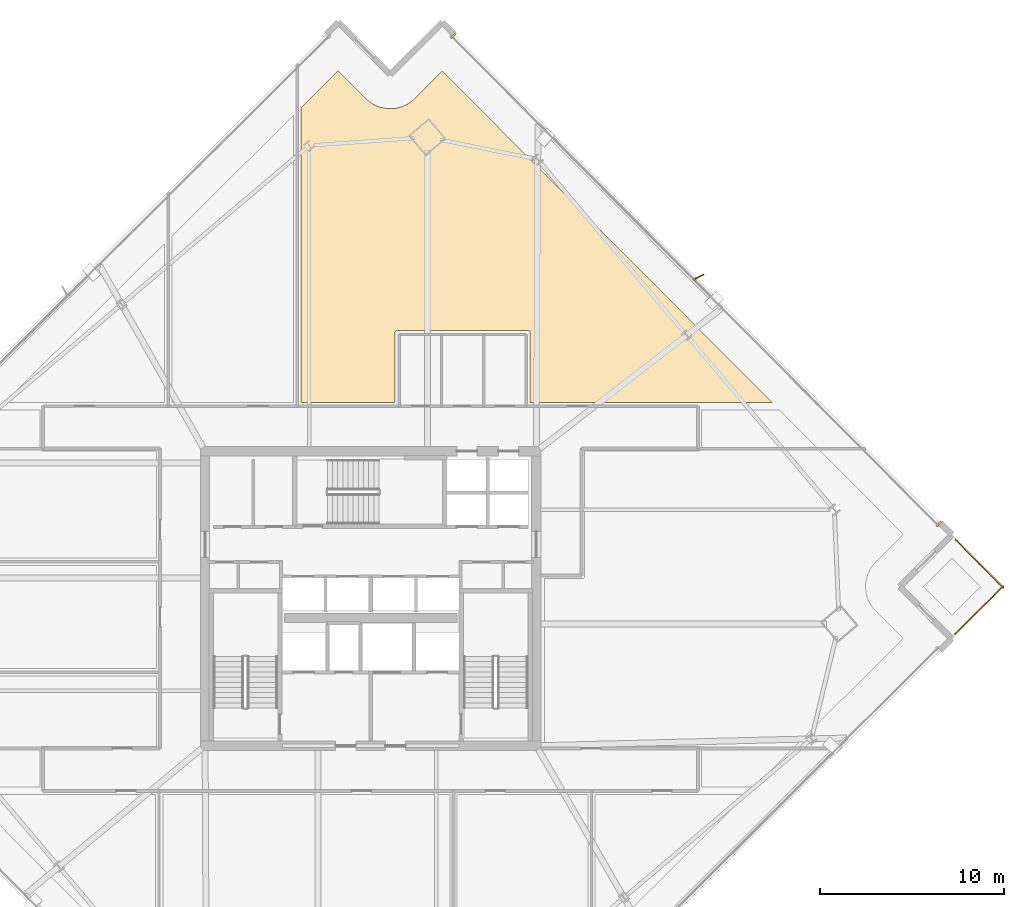
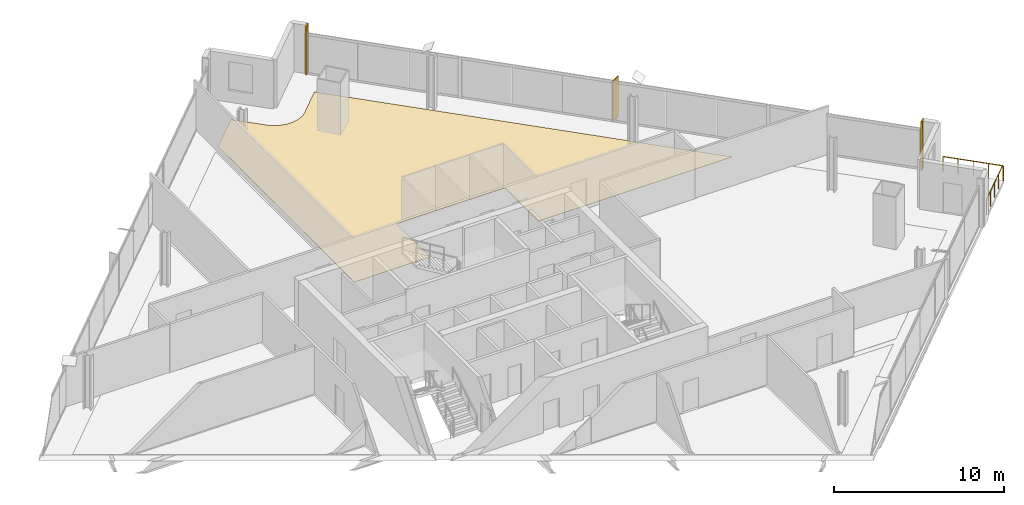
# One storey, part 32 of 32: 3 coverings, 2 railings, 1 shading device.
"""IFC4 building model written with IfcOpenShell, lengths in metres."""

from ifc_helpers import new_model, si_unit, direction, frame, origin, origin_2d, place, context, subcontext, project, spatial, polyline, rectangle, outline, extrude, source, transform, mapped, material, layer, layer_set, type_object, element, save


model = new_model("IFC4")

# Units and contexts
model_context = context("Model", 3, precision=1e-05, world=origin(), true_north=direction((0.0, 1.0)))
body_context = subcontext(model_context, "Body", "Model", "MODEL_VIEW")
ifc_project = project(units=[si_unit("LENGTHUNIT", "METRE"), si_unit("AREAUNIT", "SQUARE_METRE"), si_unit("VOLUMEUNIT", "CUBIC_METRE"), si_unit("PLANEANGLEUNIT", "RADIAN"), si_unit("MASSUNIT", "GRAM", prefix="KILO")], contexts=[model_context])

# Site, building, storey
site_placement = place(None, origin())
site = spatial("IfcSite", under=ifc_project, at=site_placement, CompositionType="ELEMENT")
building_placement = place(site_placement, origin())
building = spatial("IfcBuilding", under=site, at=building_placement, Name="Haldenkirk Collegiate Tower", CompositionType="ELEMENT")
storey_placement = place(building_placement, frame((0.0, 0.0, 178.199951171875)))
storey = spatial("IfcBuildingStorey", under=building, at=storey_placement, Name="L44", CompositionType="ELEMENT", Elevation=178.199951171875)

# Covering
ifc_material_1 = material(Name="Engineered collegiate oak acoustic flooring", Category="wood")
ifc_layer_1 = layer(ifc_material_1, 0.02197265625)
ifc_layer_set_1 = layer_set([ifc_layer_1], Name="Engineered collegiate oak acoustic flooring")
covering_type_1 = type_object("IfcCoveringType", Name="COV-FLOOR-TIMBER", PredefinedType="FLOORING", material=ifc_layer_set_1)
covering_placement = place(storey_placement, origin())
element("IfcCovering", 1, at=covering_placement, inside=storey, type_object=covering_type_1, Name="L44 academic room finish 07", PredefinedType="FLOORING", context=body_context, shape_type="SweptSolid", body=[
    extrude(outline(polyline([(35.73876953125, 53.1748046875), (35.742919921875, 53.1708984375), (35.8701171875, 53.05517578125), (35.879150390625, 53.047607421875), (36.0166015625, 52.945068359375), (36.0263671875, 52.9384765625), (36.173583984375, 52.849609375), (36.183837890625, 52.843994140625), (36.339111328125, 52.770263671875), (36.349853515625, 52.765869140625), (36.511474609375, 52.70751953125), (36.522705078125, 52.7041015625), (36.689208984375, 52.661865234375), (36.70068359375, 52.659423828125), (36.87060546875, 52.6337890625), (36.882080078125, 52.6328125), (37.0537109375, 52.623779296875), (37.0654296875, 52.623779296875), (37.237060546875, 52.6318359375), (37.248779296875, 52.6328125), (37.418701171875, 52.65771484375), (37.430419921875, 52.659912109375), (37.596923828125, 52.701171875), (37.6083984375, 52.70458984375), (37.77001953125, 52.76220703125), (37.781005859375, 52.7666015625), (37.936279296875, 52.839599609375), (37.94677734375, 52.84521484375), (38.09423828125, 52.93310546875), (38.10400390625, 52.939453125), (38.2421875, 53.04150390625), (38.25146484375, 53.048828125), (38.37890625, 53.163818359375), (38.38330078125, 53.16796875), (39.8935546875, 54.670166015625), (57.819580078125, 36.64990234375), (44.669921875, 36.64990234375), (44.669921875, 40.449951171875), (44.66943359375, 40.4619140625), (44.667724609375, 40.473388671875), (44.664794921875, 40.48486328125), (44.660888671875, 40.495849609375), (44.65576171875, 40.506591796875), (44.64990234375, 40.5166015625), (44.642822265625, 40.526123046875), (44.635009765625, 40.534912109375), (44.626220703125, 40.542724609375), (44.61669921875, 40.5498046875), (44.606689453125, 40.555908203125), (44.595947265625, 40.560791015625), (44.584716796875, 40.564697265625), (44.573486328125, 40.567626953125), (44.561767578125, 40.5693359375), (44.550048828125, 40.570068359375), (37.449951171875, 40.570068359375), (37.438232421875, 40.5693359375), (37.426513671875, 40.567626953125), (37.415283203125, 40.564697265625), (37.404052734375, 40.560791015625), (37.393310546875, 40.555908203125), (37.38330078125, 40.5498046875), (37.373779296875, 40.542724609375), (37.364990234375, 40.534912109375), (37.357177734375, 40.526123046875), (37.35009765625, 40.5166015625), (37.34423828125, 40.506591796875), (37.339111328125, 40.495849609375), (37.335205078125, 40.48486328125), (37.332275390625, 40.473388671875), (37.33056640625, 40.4619140625), (37.330078125, 40.449951171875), (37.330078125, 36.64990234375), (32.199951171875, 36.64990234375), (32.199951171875, 52.658935546875), (34.236572265625, 54.684814453125), (35.73876953125, 53.1748046875)])), origin(), (0.0, 0.0, 1.0), 0.02197265625),
])

# Railings
ifc_material_2 = material(Name="Anodised architectural bronze aluminium", Category="aluminium")
railing_type = type_object("IfcRailingType", Name="RLG-TERR-BALUSTRADE-1100", PredefinedType="BALUSTRADE", material=ifc_material_2)
railing_1_placement = place(storey_placement, frame((67.76904296875, 24.081787109375, 0.0)))
element("IfcRailing", 2, at=railing_1_placement, inside=storey, type_object=railing_type, Name="L44 terrace guard balustrade 1-1", PredefinedType="BALUSTRADE", context=body_context, shape_type="SweptSolid", body=[
    extrude(rectangle(XDim=0.048095703125, YDim=0.048095703125, at=origin_2d()), frame((0.0, 0.0, 1.076171875), z_axis=(0.708928828031, 0.705280027213, 0.0), x_axis=(-0.705280027213, 0.708928828031, 0.0)), (0.0, 0.0, 1.0), 3.679931640625),
    extrude(rectangle(XDim=0.0419921875, YDim=0.0419921875, at=origin_2d()), origin(), (0.0, 0.0, 1.0), 1.052001953125),
    extrude(rectangle(XDim=0.0419921875, YDim=0.0419921875, at=origin_2d()), frame((0.65234375, 0.64892578125, 0.0)), (0.0, 0.0, 1.0), 1.052001953125),
    extrude(rectangle(XDim=0.0419921875, YDim=0.0419921875, at=origin_2d()), frame((1.304443359375, 1.2978515625, 0.0)), (0.0, 0.0, 1.0), 1.052001953125),
    extrude(rectangle(XDim=0.0419921875, YDim=0.0419921875, at=origin_2d()), frame((1.95654296875, 1.946533203125, 0.0)), (0.0, 0.0, 1.0), 1.052001953125),
    extrude(rectangle(XDim=0.0419921875, YDim=0.0419921875, at=origin_2d()), frame((2.60888671875, 2.595458984375, 0.0)), (0.0, 0.0, 1.0), 1.052001953125),
])
railing_2_placement = place(storey_placement, frame((70.377685546875, 26.59228515625, 0.0)))
element("IfcRailing", 3, at=railing_2_placement, inside=storey, type_object=railing_type, Name="L44 terrace guard balustrade 2-1", PredefinedType="BALUSTRADE", context=body_context, shape_type="SweptSolid", body=[
    extrude(rectangle(XDim=0.048095703125, YDim=0.048095703125, at=origin_2d()), frame((0.0, 0.0, 1.076171875), z_axis=(-0.705246857527, 0.708961825453, 0.0), x_axis=(-0.708961825453, -0.705246857527, 0.0)), (0.0, 0.0, 1.0), 3.68017578125),
    extrude(rectangle(XDim=0.0419921875, YDim=0.0419921875, at=origin_2d()), origin(), (0.0, 0.0, 1.0), 1.052001953125),
    extrude(rectangle(XDim=0.0419921875, YDim=0.0419921875, at=origin_2d()), frame((-0.64892578125, 0.65234375, 0.0)), (0.0, 0.0, 1.0), 1.052001953125),
    extrude(rectangle(XDim=0.0419921875, YDim=0.0419921875, at=origin_2d()), frame((-1.2978515625, 1.3046875, 0.0)), (0.0, 0.0, 1.0), 1.052001953125),
    extrude(rectangle(XDim=0.0419921875, YDim=0.0419921875, at=origin_2d()), frame((-1.946533203125, 1.956787109375, 0.0)), (0.0, 0.0, 1.0), 1.052001953125),
    extrude(rectangle(XDim=0.0419921875, YDim=0.0419921875, at=origin_2d()), frame((-2.595458984375, 2.609130859375, 0.0)), (0.0, 0.0, 1.0), 1.052001953125),
])

# Coverings
ifc_layer_2 = layer(ifc_material_2, 0.06005859375)
ifc_layer_set_2 = layer_set([ifc_layer_2], Name="Anodised architectural bronze aluminium")
covering_type_2 = type_object("IfcCoveringType", Name="COV-CLAD-BRONZE-60", PredefinedType="CLADDING", material=ifc_layer_set_2)
shared_shape_1 = source(origin(), body_context, "Body", "SweptSolid", [
    extrude(rectangle(XDim=0.10009765625, YDim=0.3798828125, at=origin_2d()), origin(), (0.0, 0.0, 1.0), 3.4599609375),
])
for number, where, z_axis, x_axis, name in (
    (4, (40.492431640625, 56.591796875, 0.0), (0.0, 0.0, 1.0), (0.705253158862, -0.708955557081, 0.0), "L44 recessed curtain-wall bronze jamb closure EJL"),
    (5, (66.87939453125, 30.06640625, 0.0), (0.0, 0.0, 1.0), (0.705253158862, -0.708955557081, 0.0), "L44 recessed curtain-wall bronze jamb closure EJR"),
):
    element("IfcCovering", number, at=place(storey_placement, frame(where, z_axis=z_axis, x_axis=x_axis)), inside=storey, type_object=covering_type_2, Name=name, PredefinedType="CLADDING", context=body_context, shape_type="MappedRepresentation", body=[
        mapped(shared_shape_1, transform((0.0, 0.0, 0.0), x_axis=(1.0, 0.0, 0.0), y_axis=(0.0, 1.0, 0.0), z_axis=(0.0, 0.0, 1.0), scale=1.0)),
    ])

# Shading device
ifc_layer_3 = layer(ifc_material_2, 0.06494140625)
ifc_layer_set_3 = layer_set([ifc_layer_3], Name="Anodised architectural bronze aluminium")
shading_device_type = type_object("IfcShadingDeviceType", Name="SHD-FIN-BRONZE-620", PredefinedType="USERDEFINED", material=ifc_layer_set_3)
shared_shape_2 = source(origin(), body_context, "Body", "SweptSolid", [
    extrude(rectangle(XDim=0.6201171875, YDim=0.06494140625, at=origin_2d()), origin(), (0.0, 0.0, 1.0), 2.910888671875),
])
shading_device_placement = place(storey_placement, frame((53.831298828125, 43.473876953125, 0.0), z_axis=(0.0, 0.0, 1.0), x_axis=(0.875885937035, 0.482518212408, 0.0)))
element("IfcShadingDevice", 6, at=shading_device_placement, inside=storey, type_object=shading_device_type, Name="L44 folded bronze solar fin 1", ObjectType="FIN", PredefinedType="USERDEFINED", context=body_context, shape_type="MappedRepresentation", body=[
    mapped(shared_shape_2, transform((0.0, 0.0, 0.0), x_axis=(1.0, 0.0, 0.0), y_axis=(0.0, 1.0, 0.0), z_axis=(0.0, 0.0, 1.0), scale=1.0)),
])

save(model, "model.ifc")
